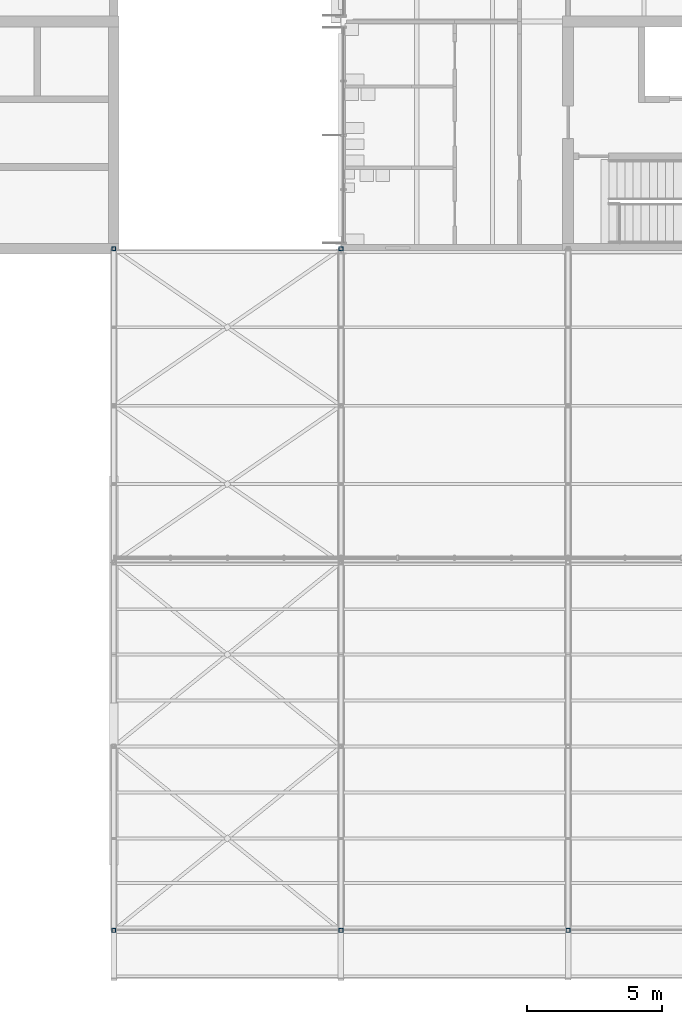
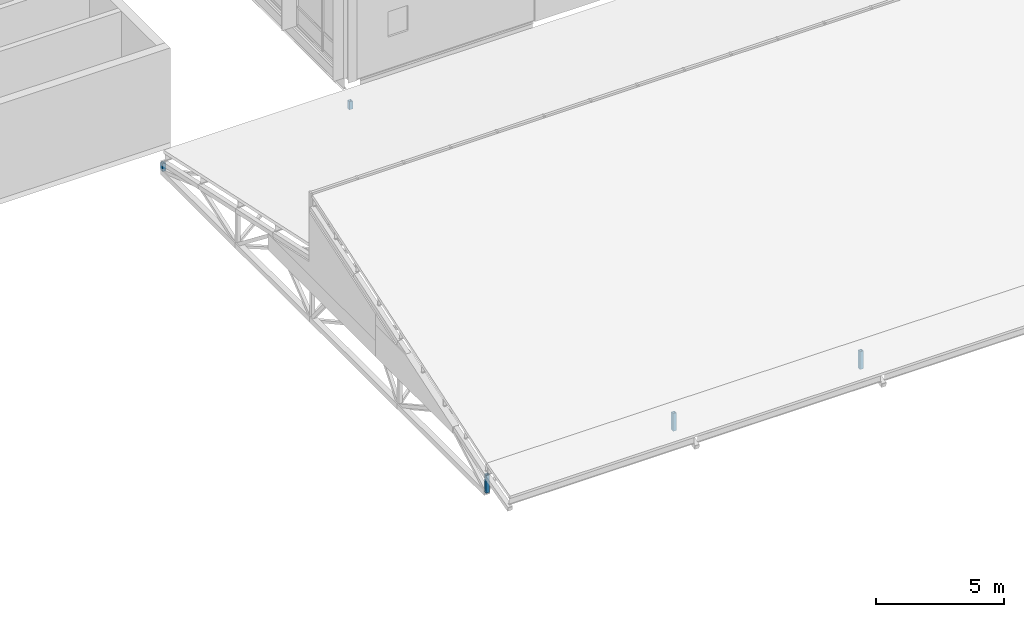
# One storey, part 36 of 89: 5 members.
"""IFC4 building model written with IfcOpenShell, lengths in metres."""

import ifcopenshell
import ifcopenshell.guid

model = None  # the IFC model being written
_history = None  # IfcOwnerHistory: only IFC2X3 demands one
_inside = {}  # id of a spatial element -> (the spatial element, [elements in it])
_under = {}  # id of a project, library or spatial element -> (it, [spatial elements below it])
_declared = {}  # id of a project -> (the project, [libraries it declares])
_typed = {}  # id of a type object -> (the type object, [elements of that type])
_made_of = {}  # id of a material, layer set ... -> (it, [elements and type objects made of it])


def new_model(schema):
    """Start an empty IFC model of exactly this schema.

    Asked for "IFC4X3", IfcOpenShell would pick the latest addendum, in which some entities
    have other attributes; the version numbers below select the first issue.
    IFC2X3 requires an IfcOwnerHistory on every rooted entity: one is made here for all.
    """
    global model, _history
    if schema == "IFC4X3":
        model = ifcopenshell.file(schema_version=(4, 3, 0, 0))
    else:
        model = ifcopenshell.file(schema=schema)
    _inside.clear()
    _under.clear()
    _declared.clear()
    _typed.clear()
    _made_of.clear()
    _history = None
    if model.schema == "IFC2X3":
        org = make("IfcOrganization", Name="unknown")
        user = make(
            "IfcPersonAndOrganization",
            ThePerson=make("IfcPerson", FamilyName="unknown"),
            TheOrganization=org,
        )
        app = make(
            "IfcApplication",
            ApplicationDeveloper=org,
            Version="unknown",
            ApplicationFullName="unknown",
            ApplicationIdentifier="unknown",
        )
        _history = make(
            "IfcOwnerHistory",
            OwningUser=user,
            OwningApplication=app,
            ChangeAction="ADDED",
            CreationDate=0,
        )
    return model


def make(cls, **values):
    """One entity of the class cls with the attributes given. An attribute that is None is left unset."""
    return model.create_entity(
        cls, **{name: value for name, value in values.items() if value is not None}
    )


def rooted(cls, **values):
    """An entity with a GlobalId (a new one), such as an element, a storey or a relation."""
    return make(cls, GlobalId=ifcopenshell.guid.new(), OwnerHistory=_history, **values)


def si_unit(unit_type, name, prefix=None):
    """IfcSIUnit, for example si_unit("LENGTHUNIT", "METRE", prefix="MILLI")."""
    return make("IfcSIUnit", UnitType=unit_type, Prefix=prefix, Name=name)


def assignment(units):
    """IfcUnitAssignment: the units of a project."""
    return None if units is None else make("IfcUnitAssignment", Units=units)


def point(xyz):
    """IfcCartesianPoint."""
    return None if xyz is None else make("IfcCartesianPoint", Coordinates=xyz)


def direction(xyz):
    """IfcDirection."""
    return None if xyz is None else make("IfcDirection", DirectionRatios=xyz)


def frame(location, z_axis=None, x_axis=None):
    """IfcAxis2Placement3D, a coordinate frame: its origin and axes. An axis left out is left unset."""
    return make(
        "IfcAxis2Placement3D",
        Location=point(location),
        Axis=direction(z_axis),
        RefDirection=direction(x_axis),
    )


def frame_2d(location, x_axis=None):
    """IfcAxis2Placement2D, a coordinate frame in the plane: its origin and x axis."""
    return make(
        "IfcAxis2Placement2D", Location=point(location), RefDirection=direction(x_axis)
    )


def origin():
    """The frame at (0, 0, 0) with its axes left unset."""
    return frame((0.0, 0.0, 0.0))


def origin_2d():
    """The frame at (0, 0) in the plane with its x axis left unset."""
    return frame_2d((0.0, 0.0))


def place(relative_to, where):
    """IfcLocalPlacement: puts the frame where relative to a parent placement (None: the world)."""
    return make(
        "IfcLocalPlacement", PlacementRelTo=relative_to, RelativePlacement=where
    )


def context(
    kind, dimensions, precision=None, world=None, true_north=None, identifier=None
):
    """IfcGeometricRepresentationContext, for example the 3D "Model" context."""
    return make(
        "IfcGeometricRepresentationContext",
        ContextIdentifier=identifier,
        ContextType=kind,
        CoordinateSpaceDimension=dimensions,
        Precision=precision,
        WorldCoordinateSystem=world,
        TrueNorth=true_north,
    )


def subcontext(parent, identifier, kind, view, scale=None):
    """IfcGeometricRepresentationSubContext, for example "Body" below "Model"."""
    return make(
        "IfcGeometricRepresentationSubContext",
        ContextIdentifier=identifier,
        ContextType=kind,
        ParentContext=parent,
        TargetScale=scale,
        TargetView=view,
    )


def project(units=None, contexts=None):
    """IfcProject with its units and contexts."""
    return rooted(
        "IfcProject",
        Name="project",
        RepresentationContexts=contexts,
        UnitsInContext=assignment(units),
    )


def spatial(cls, under=None, at=None, **own):
    """A site, building, storey or space (cls), placed at a placement, below another one or the project."""
    s = rooted(cls, ObjectPlacement=at, **own)
    if under is not None:
        _under.setdefault(under.id(), (under, []))[1].append(s)
    return s


def profile(cls, at=None, kind="AREA", **sizes):
    """A parametric profile (cls). Its sizes go by their IFC names, for example OverallWidth=200.0."""
    return make(cls, ProfileType=kind, Position=at, **sizes)


def hollow_rectangle(**sizes):
    """IfcRectangleHollowProfileDef."""
    return profile("IfcRectangleHollowProfileDef", **sizes)


def extrude(swept, where, along, depth):
    """IfcExtrudedAreaSolid: the profile swept, set in the frame where, extruded along a direction by depth."""
    return make(
        "IfcExtrudedAreaSolid",
        SweptArea=swept,
        Position=where,
        ExtrudedDirection=direction(along),
        Depth=depth,
    )


def shape(context_of_items, identifier, shape_type, items):
    """IfcShapeRepresentation: the items that make up one representation, for example the "Body"."""
    return make(
        "IfcShapeRepresentation",
        ContextOfItems=context_of_items,
        RepresentationIdentifier=identifier,
        RepresentationType=shape_type,
        Items=items,
    )


def material(Name=None, Category=None):
    """IfcMaterial."""
    return make("IfcMaterial", Name=Name, Category=Category)


def material_profile(
    of_material, cross_section, Name=None, Category=None, Priority=None
):
    """IfcMaterialProfile: a cross section and its material."""
    return make(
        "IfcMaterialProfile",
        Name=Name,
        Material=of_material,
        Profile=cross_section,
        Priority=Priority,
        Category=Category,
    )


def profile_set(profiles, Name=None, composite=None):
    """IfcMaterialProfileSet."""
    return make(
        "IfcMaterialProfileSet",
        Name=Name,
        MaterialProfiles=profiles,
        CompositeProfile=composite,
    )


def made_of(thing, what):
    """Note that an element or type object is made of a material, layer set ...; save() writes the relation."""
    if what is not None:
        _made_of.setdefault(what.id(), (what, []))[1].append(thing)
    return thing


def type_object(cls, material=None, **own):
    """A type object (cls), such as IfcWallType, which elements share."""
    return made_of(rooted(cls, **own), material)


def element(
    cls,
    number,
    at=None,
    inside=None,
    cuts=None,
    type_object=None,
    material=None,
    context=None,
    identifier="Body",
    shape_type=None,
    held_by="IfcProductDefinitionShape",
    body=None,
    shapes=None,
    **own,
):
    """One element of the class cls, such as IfcWall. Its Tag is "e" and its number.

    at: its placement. inside: the storey or other place that contains it. cuts: it is an
    opening in that element (IfcRelVoidsElement). A single representation is given by context,
    identifier, shape_type and body (its items); several are given by shapes. held_by: the class
    of the entity that holds the representations. save() writes the other relations.
    """
    e = rooted(cls, Tag="e%d" % number, ObjectPlacement=at, **own)
    if body is not None:
        shapes = [shape(context, identifier, shape_type, body)]
    if shapes is not None:
        e.Representation = make(held_by, Representations=shapes)
    if inside is not None:
        _inside.setdefault(inside.id(), (inside, []))[1].append(e)
    if cuts is not None:
        rooted(
            "IfcRelVoidsElement", RelatingBuildingElement=cuts, RelatedOpeningElement=e
        )
    if type_object is not None:
        _typed.setdefault(type_object.id(), (type_object, []))[1].append(e)
    return made_of(e, material)


def aggregate(whole, parts):
    """IfcRelAggregates: a whole, such as a stair, and the parts it consists of."""
    return rooted("IfcRelAggregates", RelatingObject=whole, RelatedObjects=parts)


def save(model, path):
    """Write the relations noted so far, then the file.

    IfcRelAggregates (storeys below a building ...), IfcRelContainedInSpatialStructure (elements
    in a storey), IfcRelDefinesByType, IfcRelAssociatesMaterial and IfcRelDeclares: one each for
    every whole, place, type object, material and project.
    """
    for whole, parts in _under.values():
        aggregate(whole, parts)
    for where, things in _inside.values():
        rooted(
            "IfcRelContainedInSpatialStructure",
            RelatedElements=things,
            RelatingStructure=where,
        )
    for kind, things in _typed.values():
        rooted("IfcRelDefinesByType", RelatedObjects=things, RelatingType=kind)
    for what, things in _made_of.values():
        rooted("IfcRelAssociatesMaterial", RelatedObjects=things, RelatingMaterial=what)
    for by, libraries in _declared.values():
        rooted("IfcRelDeclares", RelatingContext=by, RelatedDefinitions=libraries)
    model.write(path)


model = new_model("IFC4")

# Units and contexts
model_context = context("Model", 3, precision=1e-05, world=origin(), true_north=direction((0.0, 1.0)))
body_context = subcontext(model_context, "Body", "Model", "MODEL_VIEW")
ifc_project = project(units=[si_unit("LENGTHUNIT", "METRE"), si_unit("AREAUNIT", "SQUARE_METRE"), si_unit("VOLUMEUNIT", "CUBIC_METRE"), si_unit("PLANEANGLEUNIT", "RADIAN"), si_unit("MASSUNIT", "GRAM", prefix="KILO")], contexts=[model_context])

# Site, building, storey
site_placement = place(None, origin())
site = spatial("IfcSite", under=ifc_project, at=site_placement, CompositionType="ELEMENT")
building_placement = place(site_placement, origin())
building = spatial("IfcBuilding", under=site, at=building_placement, Name="Hlaing Beacon Police Headquarters", CompositionType="ELEMENT")
storey_placement = place(building_placement, frame((0.0, 0.0, 9.89990234375)))
storey = spatial("IfcBuildingStorey", under=building, at=storey_placement, Name="L02", CompositionType="ELEMENT", Elevation=9.89990234375)

# Members
ifc_material = material(Name="Steel ASTM A500 Grade C", Category="steel")
ifc_material_profile = material_profile(ifc_material, hollow_rectangle(XDim=0.15234375, YDim=0.15234375, WallThickness=0.0126953125, at=origin_2d()), Name="HSS6x6x1/2")
ifc_profile_set = profile_set([ifc_material_profile], Name="Steel ASTM A500 Grade C")
member_type = type_object("IfcMemberType", Name="Truss post HSS6x6x1/2", PredefinedType="POST", material=ifc_profile_set)
member_1_placement = place(storey_placement, frame((92.39990234375, 8.39990234375, -1.372802734375), z_axis=(0.0, 0.0, 1.0), x_axis=(1.0, 0.0, 0.0)))
element("IfcMember", 1, at=member_1_placement, inside=storey, type_object=member_type, Name="STR-RT-V3-T1-PS01", PredefinedType="POST", context=body_context, shape_type="SweptSolid", body=[
    extrude(hollow_rectangle(XDim=0.15234375, YDim=0.15234375, WallThickness=0.0126953125, at=origin_2d()), origin(), (0.0, 0.0, 1.0), 0.84716796875),
])
member_2_placement = place(storey_placement, frame((92.39990234375, 33.60009765625, -1.372802734375), z_axis=(0.0, 0.0, 1.0), x_axis=(1.0, 0.0, 0.0)))
element("IfcMember", 2, at=member_2_placement, inside=storey, type_object=member_type, Name="STR-RT-V3-T1-PS05", PredefinedType="POST", context=body_context, shape_type="SweptSolid", body=[
    extrude(hollow_rectangle(XDim=0.15234375, YDim=0.15234375, WallThickness=0.0126953125, at=origin_2d()), origin(), (0.0, 0.0, 1.0), 0.381103515625),
])
member_3_placement = place(storey_placement, frame((100.800048828125, 8.39990234375, -1.372802734375), z_axis=(0.0, 0.0, 1.0), x_axis=(1.0, 0.0, 0.0)))
element("IfcMember", 3, at=member_3_placement, inside=storey, type_object=member_type, Name="STR-RT-V3-T2-PS01", PredefinedType="POST", context=body_context, shape_type="SweptSolid", body=[
    extrude(hollow_rectangle(XDim=0.15234375, YDim=0.15234375, WallThickness=0.0126953125, at=origin_2d()), origin(), (0.0, 0.0, 1.0), 0.84716796875),
])
member_4_placement = place(storey_placement, frame((100.800048828125, 33.60009765625, -1.372802734375), z_axis=(0.0, 0.0, 1.0), x_axis=(1.0, 0.0, 0.0)))
element("IfcMember", 4, at=member_4_placement, inside=storey, type_object=member_type, Name="STR-RT-V3-T2-PS05", PredefinedType="POST", context=body_context, shape_type="SweptSolid", body=[
    extrude(hollow_rectangle(XDim=0.15234375, YDim=0.15234375, WallThickness=0.0126953125, at=origin_2d()), origin(), (0.0, 0.0, 1.0), 0.381103515625),
])
member_5_placement = place(storey_placement, frame((109.199951171875, 8.39990234375, -1.372802734375), z_axis=(0.0, 0.0, 1.0), x_axis=(1.0, 0.0, 0.0)))
element("IfcMember", 5, at=member_5_placement, inside=storey, type_object=member_type, Name="STR-RT-V3-T3-PS01", PredefinedType="POST", context=body_context, shape_type="SweptSolid", body=[
    extrude(hollow_rectangle(XDim=0.15234375, YDim=0.15234375, WallThickness=0.0126953125, at=origin_2d()), origin(), (0.0, 0.0, 1.0), 0.84716796875),
])

save(model, "model.ifc")
